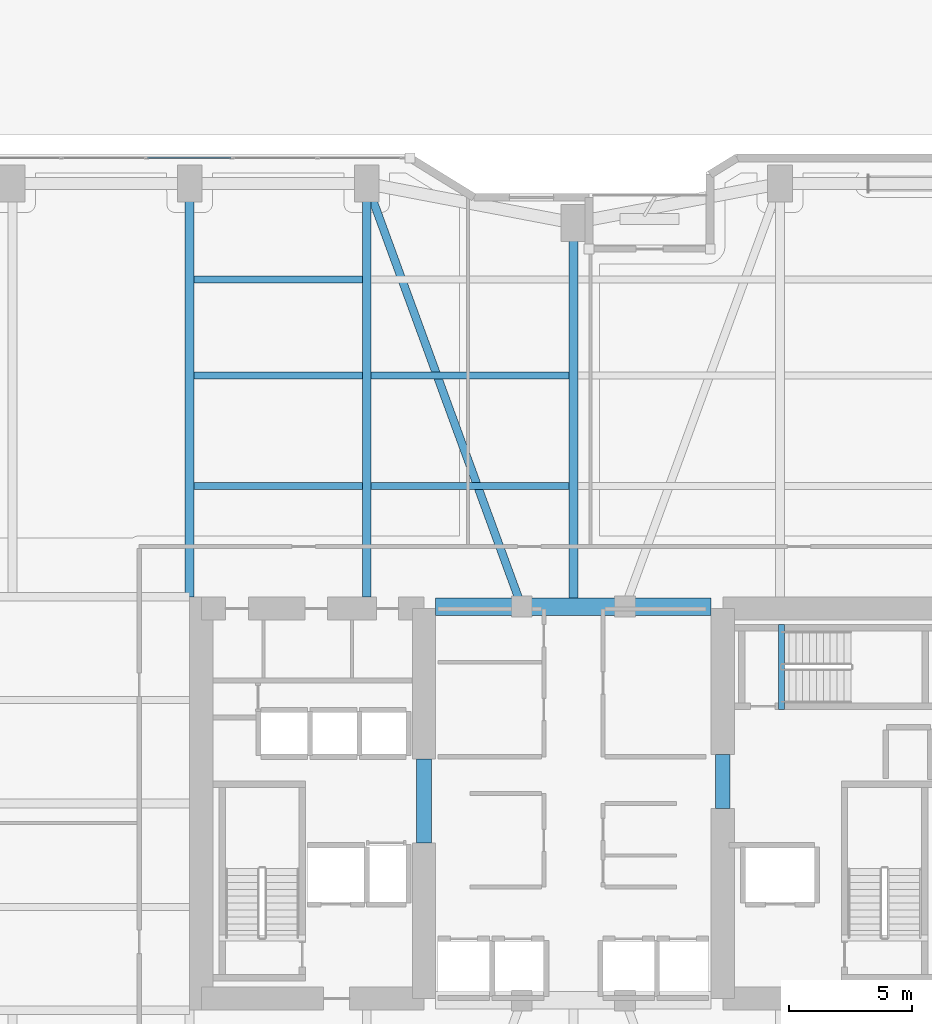
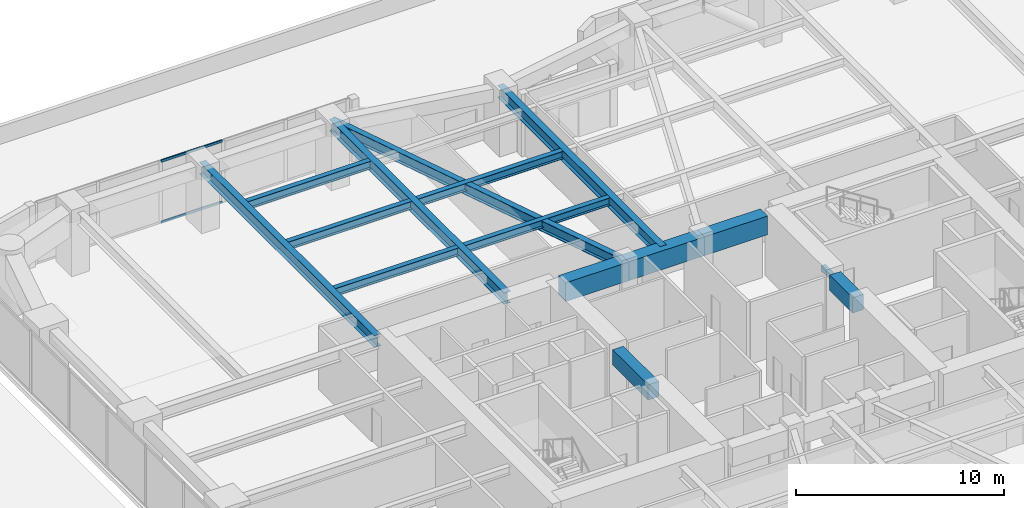
# One storey, part 10 of 38: 15 beams, 2 members, 1 element without a shape of its own.
"""IFC4 building model written with IfcOpenShell, lengths in metres."""

from ifc_helpers import new_model, si_unit, direction, frame, origin, origin_2d, place, context, subcontext, project, spatial, rectangle, hollow_rectangle, i_section, extrude, material, layer, layer_set, material_profile, profile_set, type_object, element, aggregate, save


model = new_model("IFC4")

# Units and contexts
model_context = context("Model", 3, precision=1e-05, world=origin(), true_north=direction((0.0, 1.0)))
body_context = subcontext(model_context, "Body", "Model", "MODEL_VIEW")
ifc_project = project(units=[si_unit("LENGTHUNIT", "METRE"), si_unit("AREAUNIT", "SQUARE_METRE"), si_unit("VOLUMEUNIT", "CUBIC_METRE"), si_unit("PLANEANGLEUNIT", "RADIAN"), si_unit("MASSUNIT", "GRAM", prefix="KILO")], contexts=[model_context])

# Site, building, storey
site_placement = place(None, origin())
site = spatial("IfcSite", under=ifc_project, at=site_placement, CompositionType="ELEMENT")
building_placement = place(site_placement, origin())
building = spatial("IfcBuilding", under=site, at=building_placement, Name="Kiyonajd Concourse Tower", CompositionType="ELEMENT")
storey_placement = place(building_placement, frame((0.0, 0.0, 21.60009765625)))
storey = spatial("IfcBuildingStorey", under=building, at=storey_placement, Name="L06", CompositionType="ELEMENT", Elevation=21.60009765625)

# Beams
ifc_material_1 = material(Name="Concrete C70/85", Category="concrete")
ifc_material_profile_1 = material_profile(ifc_material_1, rectangle(XDim=0.699951171875, YDim=1.10009765625, at=origin_2d()), Name="RCBM-700x1100")
ifc_profile_set_1 = profile_set([ifc_material_profile_1], Name="Concrete C70/85")
beam_type_1 = type_object("IfcBeamType", Name="BM-COUP-1100", PredefinedType="LINTEL", material=ifc_profile_set_1)
beam_1_placement = place(storey_placement, frame((42.39990234375, 44.0, 3.08984375), z_axis=(1.0, 0.0, 0.0), x_axis=(0.0, 1.0, 0.0)))
element("IfcBeam", 1, at=beam_1_placement, inside=storey, type_object=beam_type_1, Name="L06 Core Coupling Beam N1", PredefinedType="LINTEL", context=body_context, shape_type="SweptSolid", body=[
    extrude(rectangle(XDim=0.699951171875, YDim=1.10009765625, at=origin_2d()), origin(), (0.0, 0.0, 1.0), 3.5),
])
beam_2_placement = place(storey_placement, frame((45.89990234375, 44.0, 3.08984375), z_axis=(1.0, 0.0, 0.0), x_axis=(0.0, 1.0, 0.0)))
element("IfcBeam", 2, at=beam_2_placement, inside=storey, type_object=beam_type_1, Name="L06 Core Coupling Beam N2", PredefinedType="LINTEL", context=body_context, shape_type="SweptSolid", body=[
    extrude(rectangle(XDim=0.699951171875, YDim=1.10009765625, at=origin_2d()), origin(), (0.0, 0.0, 1.0), 4.2001953125),
])
beam_3_placement = place(storey_placement, frame((50.10009765625, 44.0, 3.08984375), z_axis=(1.0, 0.0, 0.0), x_axis=(0.0, 1.0, 0.0)))
element("IfcBeam", 3, at=beam_3_placement, inside=storey, type_object=beam_type_1, Name="L06 Core Coupling Beam N3", PredefinedType="LINTEL", context=body_context, shape_type="SweptSolid", body=[
    extrude(rectangle(XDim=0.699951171875, YDim=1.10009765625, at=origin_2d()), origin(), (0.0, 0.0, 1.0), 3.5),
])
ifc_material_2 = material(Name="Concrete C60/75", Category="concrete")
ifc_material_profile_2 = material_profile(ifc_material_2, rectangle(XDim=0.60009765625, YDim=0.89990234375, at=origin_2d()), Name="RCBM-600x900")
ifc_profile_set_2 = profile_set([ifc_material_profile_2], Name="Concrete C60/75")
beam_type_2 = type_object("IfcBeamType", Name="BM-COUP-900", PredefinedType="LINTEL", material=ifc_profile_set_2)
beam_4_placement = place(storey_placement, frame((41.925048828125, 34.39990234375, 3.08984375), z_axis=(0.0, 1.0, 0.0), x_axis=(-1.0, 0.0, 0.0)))
element("IfcBeam", 4, at=beam_4_placement, inside=storey, type_object=beam_type_2, Name="L06 West Core Throat Coupling Lintel", PredefinedType="LINTEL", context=body_context, shape_type="SweptSolid", body=[
    extrude(rectangle(XDim=0.60009765625, YDim=0.89990234375, at=origin_2d()), origin(), (0.0, 0.0, 1.0), 3.400146484375),
])
beam_5_placement = place(storey_placement, frame((54.074951171875, 35.800048828125, 3.08984375), z_axis=(0.0, 1.0, 0.0), x_axis=(-1.0, 0.0, 0.0)))
element("IfcBeam", 5, at=beam_5_placement, inside=storey, type_object=beam_type_2, Name="L06 East Core Throat Coupling Lintel", PredefinedType="LINTEL", context=body_context, shape_type="SweptSolid", body=[
    extrude(rectangle(XDim=0.60009765625, YDim=0.89990234375, at=origin_2d()), origin(), (0.0, 0.0, 1.0), 2.199951171875),
])
ifc_material_3 = material(Name="Steel ASTM A992 Grade 50", Category="steel")
ifc_material_profile_3 = material_profile(ifc_material_3, i_section(OverallWidth=0.280029296875, OverallDepth=0.462890625, WebThickness=0.0107421875, FlangeThickness=0.017333984375, at=origin_2d()), Name="W460X113")
ifc_profile_set_3 = profile_set([ifc_material_profile_3], Name="Steel ASTM A992 Grade 50")
beam_type_3 = type_object("IfcBeamType", Name="BM-JST-460A", PredefinedType="JOIST", material=ifc_profile_set_3)
beam_6_placement = place(storey_placement, frame((32.577392578125, 48.89990234375, 3.408447265625), z_axis=(1.0, 0.0, 0.0), x_axis=(0.0, 1.0, 0.0)))
element("IfcBeam", 6, at=beam_6_placement, inside=storey, type_object=beam_type_3, Name="L06 Secondary Floor Joist", PredefinedType="JOIST", context=body_context, shape_type="SweptSolid", body=[
    extrude(i_section(OverallWidth=0.280029296875, OverallDepth=0.462890625, WebThickness=0.0107421875, FlangeThickness=0.017333984375, at=origin_2d()), origin(), (0.0, 0.0, 1.0), 6.84521484375),
])
beam_7_placement = place(storey_placement, frame((39.777587890625, 48.89990234375, 3.408447265625), z_axis=(1.0, 0.0, 0.0), x_axis=(0.0, 1.0, 0.0)))
element("IfcBeam", 7, at=beam_7_placement, inside=storey, type_object=beam_type_3, Name="L06 Secondary Floor Joist", PredefinedType="JOIST", context=body_context, shape_type="SweptSolid", body=[
    extrude(i_section(OverallWidth=0.280029296875, OverallDepth=0.462890625, WebThickness=0.0107421875, FlangeThickness=0.017333984375, at=origin_2d()), origin(), (0.0, 0.0, 1.0), 8.044921875),
])
beam_8_placement = place(storey_placement, frame((32.577392578125, 53.39990234375, 3.408447265625), z_axis=(1.0, 0.0, 0.0), x_axis=(0.0, 1.0, 0.0)))
element("IfcBeam", 8, at=beam_8_placement, inside=storey, type_object=beam_type_3, Name="L06 Secondary Floor Joist", PredefinedType="JOIST", context=body_context, shape_type="SweptSolid", body=[
    extrude(i_section(OverallWidth=0.280029296875, OverallDepth=0.462890625, WebThickness=0.0107421875, FlangeThickness=0.017333984375, at=origin_2d()), origin(), (0.0, 0.0, 1.0), 6.84521484375),
])
beam_9_placement = place(storey_placement, frame((39.777587890625, 53.39990234375, 3.408447265625), z_axis=(1.0, 0.0, 0.0), x_axis=(0.0, 1.0, 0.0)))
element("IfcBeam", 9, at=beam_9_placement, inside=storey, type_object=beam_type_3, Name="L06 Secondary Floor Joist", PredefinedType="JOIST", context=body_context, shape_type="SweptSolid", body=[
    extrude(i_section(OverallWidth=0.280029296875, OverallDepth=0.462890625, WebThickness=0.0107421875, FlangeThickness=0.017333984375, at=origin_2d()), origin(), (0.0, 0.0, 1.0), 8.044921875),
])
beam_10_placement = place(storey_placement, frame((32.577392578125, 57.300048828125, 3.408447265625), z_axis=(1.0, 0.0, 0.0), x_axis=(0.0, 1.0, 0.0)))
element("IfcBeam", 10, at=beam_10_placement, inside=storey, type_object=beam_type_3, Name="L06 Secondary Floor Joist", PredefinedType="JOIST", context=body_context, shape_type="SweptSolid", body=[
    extrude(i_section(OverallWidth=0.280029296875, OverallDepth=0.462890625, WebThickness=0.0107421875, FlangeThickness=0.017333984375, at=origin_2d()), origin(), (0.0, 0.0, 1.0), 6.84521484375),
])
ifc_material_4 = material(Name="Concrete C50/60", Category="concrete")
ifc_material_profile_4 = material_profile(ifc_material_4, rectangle(XDim=0.239990234375, YDim=0.320068359375, at=origin_2d()), Name="RCBM-240x320")
ifc_profile_set_4 = profile_set([ifc_material_profile_4], Name="Concrete C50/60")
beam_type_4 = type_object("IfcBeamType", Name="BM-LNT-250", PredefinedType="LINTEL", material=ifc_profile_set_4)
beam_11_placement = place(storey_placement, frame((56.4599609375, 39.820068359375, -0.16015625), z_axis=(0.0, 1.0, 0.0), x_axis=(-1.0, 0.0, 0.0)))
element("IfcBeam", 11, at=beam_11_placement, inside=storey, type_object=beam_type_4, Name="L06 Stair ST3 Threshold Support Beam", PredefinedType="LINTEL", context=body_context, shape_type="SweptSolid", body=[
    extrude(rectangle(XDim=0.239990234375, YDim=0.320068359375, at=origin_2d()), origin(), (0.0, 0.0, 1.0), 3.4599609375),
])
ifc_material_profile_5 = material_profile(ifc_material_3, i_section(OverallWidth=0.326904296875, OverallDepth=0.6220703125, WebThickness=0.015380859375, FlangeThickness=0.0244140625, at=origin_2d()), Name="W610X195")
ifc_profile_set_5 = profile_set([ifc_material_profile_5], Name="Steel ASTM A992 Grade 50")
beam_type_5 = type_object("IfcBeamType", Name="BM-TWR-610A", PredefinedType="BEAM", material=ifc_profile_set_5)
beam_12_placement = place(storey_placement, frame((39.60009765625, 61.199951171875, 3.328857421875), z_axis=(0.343925269715, -0.938997022813, 0.0), x_axis=(0.938997022813, 0.343925269715, 0.0)))
element("IfcBeam", 12, at=beam_12_placement, inside=storey, type_object=beam_type_5, Name="L06 Core Tie Girder", PredefinedType="BEAM", context=body_context, shape_type="SweptSolid", body=[
    extrude(i_section(OverallWidth=0.326904296875, OverallDepth=0.6220703125, WebThickness=0.015380859375, FlangeThickness=0.0244140625, at=origin_2d()), origin(), (0.0, 0.0, 1.0), 18.3173828125),
])
ifc_material_profile_6 = material_profile(ifc_material_3, i_section(OverallWidth=0.35498046875, OverallDepth=0.695068359375, WebThickness=0.015380859375, FlangeThickness=0.02490234375, at=origin_2d()), Name="W690X217")
ifc_profile_set_6 = profile_set([ifc_material_profile_6], Name="Steel ASTM A992 Grade 50")
beam_type_6 = type_object("IfcBeamType", Name="BM-TWR-690", PredefinedType="BEAM", material=ifc_profile_set_6)
for number, where, z_axis, x_axis, name in (
    (13, (32.39990234375, 44.39990234375, 3.29248046875), (0.0, 1.0, 0.0), (-1.0, 0.0, 0.0), "L06 North Lease Girder"),
    (14, (39.60009765625, 44.39990234375, 3.29248046875), (0.0, 1.0, 0.0), (-1.0, 0.0, 0.0), "L06 North Lease Girder"),
):
    element("IfcBeam", number, at=place(storey_placement, frame(where, z_axis=z_axis, x_axis=x_axis)), inside=storey, type_object=beam_type_6, Name=name, PredefinedType="BEAM", context=body_context, shape_type="SweptSolid", body=[
        extrude(i_section(OverallWidth=0.35498046875, OverallDepth=0.695068359375, WebThickness=0.015380859375, FlangeThickness=0.02490234375, at=origin_2d()), origin(), (0.0, 0.0, 1.0), 16.800048828125),
    ])
beam_13_placement = place(storey_placement, frame((48.0, 44.0, 3.29248046875), z_axis=(0.0, 1.0, 0.0), x_axis=(-1.0, 0.0, 0.0)))
element("IfcBeam", 15, at=beam_13_placement, inside=storey, type_object=beam_type_6, Name="L06 North Ribbon Girder", PredefinedType="BEAM", context=body_context, shape_type="SweptSolid", body=[
    extrude(i_section(OverallWidth=0.35498046875, OverallDepth=0.695068359375, WebThickness=0.015380859375, FlangeThickness=0.02490234375, at=origin_2d()), origin(), (0.0, 0.0, 1.0), 15.60009765625),
])

# Curtain wall, members
ifc_material_5 = material(Name="Thermally Broken Anodised Aluminium", Category="aluminium")
ifc_layer = layer(ifc_material_5, 0.179931640625)
ifc_layer_set = layer_set([ifc_layer], Name="Thermally Broken Anodised Aluminium")
curtain_wall_type = type_object("IfcCurtainWallType", Name="CW-SYS-02", PredefinedType="NOTDEFINED", material=ifc_layer_set)
curtain_wall_placement = place(storey_placement, origin())
curtain_wall = element("IfcCurtainWall", 16, at=curtain_wall_placement, inside=storey, type_object=curtain_wall_type, Name="L06 Unitised Curtain Wall CW2", PredefinedType="NOTDEFINED")
ifc_material_profile_7 = material_profile(ifc_material_5, hollow_rectangle(XDim=0.06494140625, YDim=0.139892578125, WallThickness=0.00390625, at=origin_2d()), Name="TRAN-65x140")
ifc_profile_set_7 = profile_set([ifc_material_profile_7], Name="Thermally Broken Anodised Aluminium")
member_type = type_object("IfcMemberType", Name="MB-CW-TRAN1", PredefinedType="USERDEFINED", material=ifc_profile_set_7)
member_1_placement = place(storey_placement, frame((30.68505859375, 62.239990234375, 0.032470703125), z_axis=(1.0, 0.0, 0.0), x_axis=(0.0, 1.0, 0.0)))
member_1 = element("IfcMember", 17, at=member_1_placement, type_object=member_type, Name="CW2 transom 3.1", ObjectType="TRANSOM", PredefinedType="USERDEFINED", context=body_context, shape_type="SweptSolid", body=[
    extrude(hollow_rectangle(XDim=0.06494140625, YDim=0.139892578125, WallThickness=0.00390625, at=origin_2d()), origin(), (0.0, 0.0, 1.0), 3.40576171875),
])
member_2_placement = place(storey_placement, frame((30.68505859375, 62.239990234375, 3.607421875), z_axis=(1.0, 0.0, 0.0), x_axis=(0.0, 1.0, 0.0)))
member_2 = element("IfcMember", 18, at=member_2_placement, type_object=member_type, Name="CW2 transom 3.2", ObjectType="TRANSOM", PredefinedType="USERDEFINED", context=body_context, shape_type="SweptSolid", body=[
    extrude(hollow_rectangle(XDim=0.06494140625, YDim=0.139892578125, WallThickness=0.00390625, at=origin_2d()), origin(), (0.0, 0.0, 1.0), 3.40576171875),
])
aggregate(curtain_wall, [member_1, member_2])

save(model, "model.ifc")
